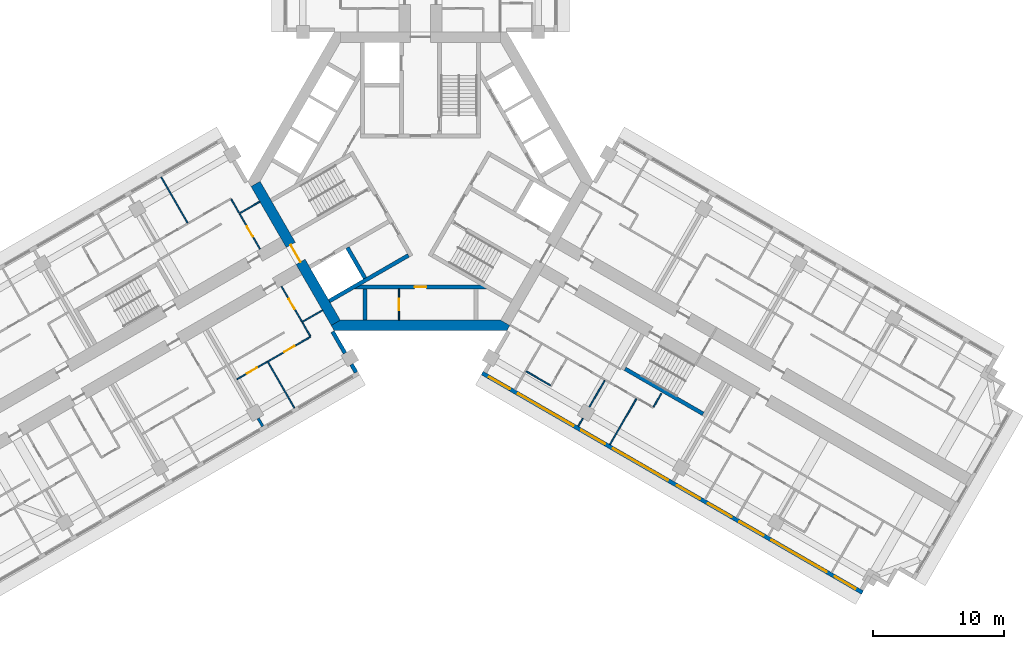
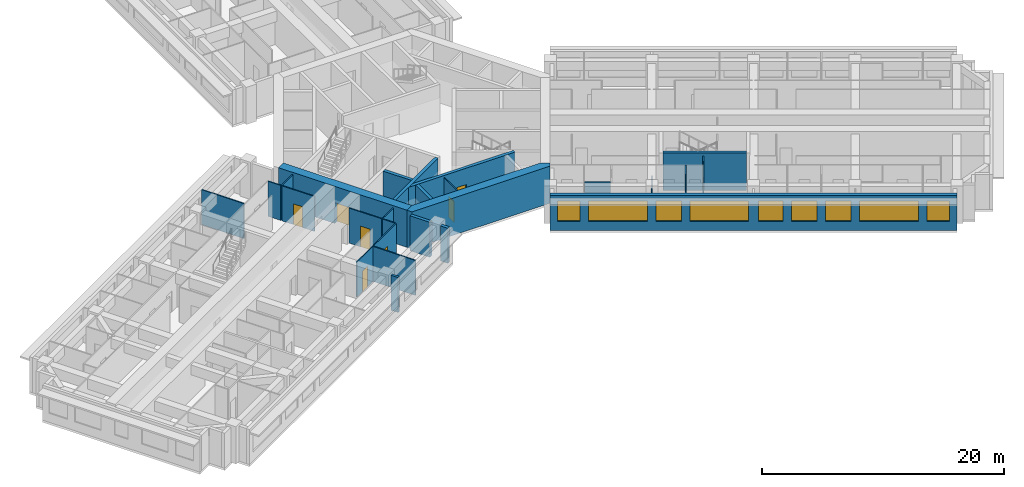
# One storey, part 6 of 14: 26 walls, 9 windows, 7 doors, 16 openings.
"""IFC4 building model written with IfcOpenShell, lengths in metres."""

from ifc_helpers import new_model, si_unit, direction, frame, frame_2d, origin, place, context, subcontext, project, spatial, polyline, rectangle, outline, extrude, material, layer, layer_set, type_object, element, fill, save


model = new_model("IFC4")

# Units and contexts
model_context = context("Model", 3, precision=1e-05, world=origin(), true_north=direction((0.0, 1.0)))
body_context = subcontext(model_context, "Body", "Model", "MODEL_VIEW")
ifc_project = project(units=[si_unit("LENGTHUNIT", "METRE"), si_unit("AREAUNIT", "SQUARE_METRE"), si_unit("VOLUMEUNIT", "CUBIC_METRE"), si_unit("PLANEANGLEUNIT", "RADIAN"), si_unit("MASSUNIT", "GRAM", prefix="KILO")], contexts=[model_context])

# Site, building, storey
site_placement = place(None, origin())
site = spatial("IfcSite", under=ifc_project, at=site_placement, CompositionType="ELEMENT")
building_placement = place(site_placement, origin())
building = spatial("IfcBuilding", under=site, at=building_placement, Name="Impinga Residences", CompositionType="ELEMENT")
storey_placement = place(building_placement, frame((0.0, 0.0, 128.5)))
storey = spatial("IfcBuildingStorey", under=building, at=storey_placement, Name="L31", CompositionType="ELEMENT", Elevation=128.5)

# Wall, opening, door
ifc_material_1 = material(Name="Concrete blockwork", Category="masonry")
ifc_layer_1 = layer(ifc_material_1, 0.10009765625)
ifc_layer_set_1 = layer_set([ifc_layer_1], Name="CP1 core room partition, blockwork 100")
wall_type_1 = type_object("IfcWallType", Name="CP1 core room partition, blockwork 100", PredefinedType="PARTITIONING", material=ifc_layer_set_1)
wall_1_placement = place(storey_placement, frame((-1.64990234375, -8.2314453125, 0.0), z_axis=(0.0, 0.0, 1.0), x_axis=(0.0, -1.0, 0.0)))
wall_1 = element("IfcWall", 1, at=wall_1_placement, inside=storey, type_object=wall_type_1, Name="Core room partition, blockwork L31:CORE:low:ZP1", PredefinedType="PARTITIONING", context=body_context, shape_type="SweptSolid", body=[
    extrude(rectangle(XDim=2.400146484375, YDim=0.10009765625, at=frame_2d((1.2001953125, 0.0))), origin(), (0.0, 0.0, 1.0), 3.530029296875),
])
opening_1_placement = place(wall_1_placement, frame((0.75, 0.0, 0.0)))
opening_1 = element("IfcOpeningElement", 2, at=opening_1_placement, cuts=wall_1, Name="Opening D6", PredefinedType="OPENING", context=body_context, shape_type="SweptSolid", body=[
    extrude(rectangle(XDim=0.89990234375, YDim=2.10009765625, at=frame_2d((0.449951171875, 1.050048828125))), frame((0.0, 0.06005859375, 0.0), z_axis=(0.0, -1.0, 0.0), x_axis=(1.0, 0.0, 0.0)), (0.0, 0.0, 1.0), 0.1201171875),
])
ifc_material_2 = material(Name="Timber door set", Category="wood")
door_type_1 = type_object("IfcDoorType", Name="D6 riser and store door 900x2100", OperationType="SINGLE_SWING_LEFT", PredefinedType="DOOR", material=ifc_material_2)
door_1_placement = place(opening_1_placement, origin())
door_1 = element("IfcDoor", 3, at=door_1_placement, inside=storey, type_object=door_type_1, Name="Linen store door", OperationType="SINGLE_SWING_LEFT", OverallHeight=2.10009765625, OverallWidth=0.89990234375, PredefinedType="DOOR", context=body_context, shape_type="SweptSolid", body=[
    extrude(rectangle(XDim=0.89990234375, YDim=2.10009765625, at=frame_2d((0.449951171875, 1.050048828125))), frame((0.0, 0.02490234375, 0.0), z_axis=(0.0, -1.0, 0.0), x_axis=(1.0, 0.0, 0.0)), (0.0, 0.0, 1.0), 0.050048828125),
])
fill(opening_1, door_1)

# Wall, openings, windows
ifc_material_3 = material(Name="Terracotta rainscreen on blockwork", Category="masonry")
ifc_layer_2 = layer(ifc_material_3, 0.300048828125)
ifc_layer_set_2 = layer_set([ifc_layer_2], Name="EW1 external wall, terracotta rainscreen on blockwork 300")
wall_type_2 = type_object("IfcWallType", Name="EW1 external wall, terracotta rainscreen on blockwork 300", PredefinedType="SOLIDWALL", material=ifc_layer_set_2)
wall_2_placement = place(storey_placement, frame((33.823486328125, -31.479248046875, 0.0), z_axis=(0.0, 0.0, 1.0), x_axis=(-0.866024291668, 0.500001926238, 0.0)))
wall_2 = element("IfcWall", 4, at=wall_2_placement, inside=storey, type_object=wall_type_2, Name="External wall EW1 L31", PredefinedType="SOLIDWALL", context=body_context, shape_type="SweptSolid", body=[
    extrude(rectangle(XDim=33.599853515625, YDim=0.300048828125, at=frame_2d((16.7998046875, 0.0))), origin(), (0.0, 0.0, 1.0), 3.530029296875),
])
opening_2_placement = place(wall_2_placement, frame((0.60009765625, 0.0, 0.89990234375)))
opening_2 = element("IfcOpeningElement", 5, at=opening_2_placement, cuts=wall_2, Name="Opening W15", PredefinedType="OPENING", context=body_context, shape_type="SweptSolid", body=[
    extrude(rectangle(XDim=1.85009765625, YDim=2.050048828125, at=frame_2d((0.925048828125, 1.02490234375))), frame((0.0, 0.159912109375, 0.0), z_axis=(0.0, -1.0, 0.0), x_axis=(1.0, 0.0, 0.0)), (0.0, 0.0, 1.0), 0.320068359375),
])
opening_3_placement = place(wall_2_placement, frame((3.14990234375, 0.0, 0.89990234375)))
opening_3 = element("IfcOpeningElement", 6, at=opening_3_placement, cuts=wall_2, Name="Opening W16", PredefinedType="OPENING", context=body_context, shape_type="SweptSolid", body=[
    extrude(rectangle(XDim=4.89990234375, YDim=2.050048828125, at=frame_2d((2.449951171875, 1.02490234375))), frame((0.0, 0.159912109375, 0.0), z_axis=(0.0, -1.0, 0.0), x_axis=(1.0, 0.0, 0.0)), (0.0, 0.0, 1.0), 0.320068359375),
])
opening_4_placement = place(wall_2_placement, frame((8.75, 0.0, 0.89990234375)))
opening_4 = element("IfcOpeningElement", 7, at=opening_4_placement, cuts=wall_2, Name="Opening W9", PredefinedType="OPENING", context=body_context, shape_type="SweptSolid", body=[
    extrude(rectangle(XDim=2.10009765625, YDim=2.050048828125, at=frame_2d((1.050048828125, 1.02490234375))), frame((0.0, 0.159912109375, 0.0), z_axis=(0.0, -1.0, 0.0), x_axis=(1.0, 0.0, 0.0)), (0.0, 0.0, 1.0), 0.320068359375),
])
opening_5_placement = place(wall_2_placement, frame((11.550048828125, 0.0, 0.89990234375)))
opening_5 = element("IfcOpeningElement", 8, at=opening_5_placement, cuts=wall_2, Name="Opening W9", PredefinedType="OPENING", context=body_context, shape_type="SweptSolid", body=[
    extrude(rectangle(XDim=2.10009765625, YDim=2.050048828125, at=frame_2d((1.050048828125, 1.02490234375))), frame((0.0, 0.159912109375, 0.0), z_axis=(0.0, -1.0, 0.0), x_axis=(1.0, 0.0, 0.0)), (0.0, 0.0, 1.0), 0.320068359375),
])
opening_6_placement = place(wall_2_placement, frame((14.35009765625, 0.0, 0.89990234375)))
opening_6 = element("IfcOpeningElement", 9, at=opening_6_placement, cuts=wall_2, Name="Opening W14", PredefinedType="OPENING", context=body_context, shape_type="SweptSolid", body=[
    extrude(rectangle(XDim=2.050048828125, YDim=2.050048828125, at=frame_2d((1.02490234375, 1.02490234375))), frame((0.0, 0.159912109375, 0.0), z_axis=(0.0, -1.0, 0.0), x_axis=(1.0, 0.0, 0.0)), (0.0, 0.0, 1.0), 0.320068359375),
])
opening_7_placement = place(wall_2_placement, frame((17.199951171875, 0.0, 0.89990234375)))
opening_7 = element("IfcOpeningElement", 10, at=opening_7_placement, cuts=wall_2, Name="Opening W6", PredefinedType="OPENING", context=body_context, shape_type="SweptSolid", body=[
    extrude(rectangle(XDim=4.85009765625, YDim=2.050048828125, at=frame_2d((2.425048828125, 1.02490234375))), frame((0.0, 0.159912109375, 0.0), z_axis=(0.0, -1.0, 0.0), x_axis=(1.0, 0.0, 0.0)), (0.0, 0.0, 1.0), 0.320068359375),
])
opening_8_placement = place(wall_2_placement, frame((22.75, 0.0, 0.89990234375)))
opening_8 = element("IfcOpeningElement", 11, at=opening_8_placement, cuts=wall_2, Name="Opening W9", PredefinedType="OPENING", context=body_context, shape_type="SweptSolid", body=[
    extrude(rectangle(XDim=2.10009765625, YDim=2.050048828125, at=frame_2d((1.050048828125, 1.02490234375))), frame((0.0, 0.159912109375, 0.0), z_axis=(0.0, -1.0, 0.0), x_axis=(1.0, 0.0, 0.0)), (0.0, 0.0, 1.0), 0.320068359375),
])
opening_9_placement = place(wall_2_placement, frame((25.550048828125, 0.0, 0.89990234375)))
opening_9 = element("IfcOpeningElement", 12, at=opening_9_placement, cuts=wall_2, Name="Opening W16", PredefinedType="OPENING", context=body_context, shape_type="SweptSolid", body=[
    extrude(rectangle(XDim=4.89990234375, YDim=2.050048828125, at=frame_2d((2.449951171875, 1.02490234375))), frame((0.0, 0.159912109375, 0.0), z_axis=(0.0, -1.0, 0.0), x_axis=(1.0, 0.0, 0.0)), (0.0, 0.0, 1.0), 0.320068359375),
])
opening_10_placement = place(wall_2_placement, frame((31.14990234375, 0.0, 0.89990234375)))
opening_10 = element("IfcOpeningElement", 13, at=opening_10_placement, cuts=wall_2, Name="Opening W15", PredefinedType="OPENING", context=body_context, shape_type="SweptSolid", body=[
    extrude(rectangle(XDim=1.85009765625, YDim=2.050048828125, at=frame_2d((0.925048828125, 1.02490234375))), frame((0.0, 0.159912109375, 0.0), z_axis=(0.0, -1.0, 0.0), x_axis=(1.0, 0.0, 0.0)), (0.0, 0.0, 1.0), 0.320068359375),
])
ifc_material_4 = material(Name="Aluminium window, clear double glazing", Category="aluminium")
window_type_1 = type_object("IfcWindowType", Name="W14 ribbon window 2050x2050", PartitioningType="SINGLE_PANEL", PredefinedType="WINDOW", material=ifc_material_4)
window_1_placement = place(opening_6_placement, origin())
window_1 = element("IfcWindow", 14, at=window_1_placement, inside=storey, type_object=window_type_1, Name="Window L31", OverallHeight=2.050048828125, OverallWidth=2.050048828125, PartitioningType="SINGLE_PANEL", PredefinedType="WINDOW", context=body_context, shape_type="SweptSolid", body=[
    extrude(rectangle(XDim=2.050048828125, YDim=2.050048828125, at=frame_2d((1.02490234375, 1.02490234375))), frame((0.0, 0.030029296875, 0.0), z_axis=(0.0, -1.0, 0.0), x_axis=(1.0, 0.0, 0.0)), (0.0, 0.0, 1.0), 0.06005859375),
])
fill(opening_6, window_1)
window_type_2 = type_object("IfcWindowType", Name="W15 ribbon window 1850x2050", PartitioningType="SINGLE_PANEL", PredefinedType="WINDOW", material=ifc_material_4)
window_2_placement = place(opening_2_placement, origin())
window_2 = element("IfcWindow", 15, at=window_2_placement, inside=storey, type_object=window_type_2, Name="Window L31", OverallHeight=2.050048828125, OverallWidth=1.85009765625, PartitioningType="SINGLE_PANEL", PredefinedType="WINDOW", context=body_context, shape_type="SweptSolid", body=[
    extrude(rectangle(XDim=1.85009765625, YDim=2.050048828125, at=frame_2d((0.925048828125, 1.02490234375))), frame((0.0, 0.030029296875, 0.0), z_axis=(0.0, -1.0, 0.0), x_axis=(1.0, 0.0, 0.0)), (0.0, 0.0, 1.0), 0.06005859375),
])
fill(opening_2, window_2)
window_3_placement = place(opening_10_placement, origin())
window_3 = element("IfcWindow", 16, at=window_3_placement, inside=storey, type_object=window_type_2, Name="Window L31", OverallHeight=2.050048828125, OverallWidth=1.85009765625, PartitioningType="SINGLE_PANEL", PredefinedType="WINDOW", context=body_context, shape_type="SweptSolid", body=[
    extrude(rectangle(XDim=1.85009765625, YDim=2.050048828125, at=frame_2d((0.925048828125, 1.02490234375))), frame((0.0, 0.030029296875, 0.0), z_axis=(0.0, -1.0, 0.0), x_axis=(1.0, 0.0, 0.0)), (0.0, 0.0, 1.0), 0.06005859375),
])
fill(opening_10, window_3)
window_type_3 = type_object("IfcWindowType", Name="W16 ribbon window 4900x2050", PartitioningType="SINGLE_PANEL", PredefinedType="WINDOW", material=ifc_material_4)
window_4_placement = place(opening_3_placement, origin())
window_4 = element("IfcWindow", 17, at=window_4_placement, inside=storey, type_object=window_type_3, Name="Window L31", OverallHeight=2.050048828125, OverallWidth=4.89990234375, PartitioningType="SINGLE_PANEL", PredefinedType="WINDOW", context=body_context, shape_type="SweptSolid", body=[
    extrude(rectangle(XDim=4.89990234375, YDim=2.050048828125, at=frame_2d((2.449951171875, 1.02490234375))), frame((0.0, 0.030029296875, 0.0), z_axis=(0.0, -1.0, 0.0), x_axis=(1.0, 0.0, 0.0)), (0.0, 0.0, 1.0), 0.06005859375),
])
fill(opening_3, window_4)
window_5_placement = place(opening_9_placement, origin())
window_5 = element("IfcWindow", 18, at=window_5_placement, inside=storey, type_object=window_type_3, Name="Window L31", OverallHeight=2.050048828125, OverallWidth=4.89990234375, PartitioningType="SINGLE_PANEL", PredefinedType="WINDOW", context=body_context, shape_type="SweptSolid", body=[
    extrude(rectangle(XDim=4.89990234375, YDim=2.050048828125, at=frame_2d((2.449951171875, 1.02490234375))), frame((0.0, 0.030029296875, 0.0), z_axis=(0.0, -1.0, 0.0), x_axis=(1.0, 0.0, 0.0)), (0.0, 0.0, 1.0), 0.06005859375),
])
fill(opening_9, window_5)
window_type_4 = type_object("IfcWindowType", Name="W6 ribbon window 4850x2050", PartitioningType="SINGLE_PANEL", PredefinedType="WINDOW", material=ifc_material_4)
window_6_placement = place(opening_7_placement, origin())
window_6 = element("IfcWindow", 19, at=window_6_placement, inside=storey, type_object=window_type_4, Name="Window L31", OverallHeight=2.050048828125, OverallWidth=4.85009765625, PartitioningType="SINGLE_PANEL", PredefinedType="WINDOW", context=body_context, shape_type="SweptSolid", body=[
    extrude(rectangle(XDim=4.85009765625, YDim=2.050048828125, at=frame_2d((2.425048828125, 1.02490234375))), frame((0.0, 0.030029296875, 0.0), z_axis=(0.0, -1.0, 0.0), x_axis=(1.0, 0.0, 0.0)), (0.0, 0.0, 1.0), 0.06005859375),
])
fill(opening_7, window_6)
window_type_5 = type_object("IfcWindowType", Name="W9 ribbon window 2100x2050", PartitioningType="SINGLE_PANEL", PredefinedType="WINDOW", material=ifc_material_4)
window_7_placement = place(opening_4_placement, origin())
window_7 = element("IfcWindow", 20, at=window_7_placement, inside=storey, type_object=window_type_5, Name="Window L31", OverallHeight=2.050048828125, OverallWidth=2.10009765625, PartitioningType="SINGLE_PANEL", PredefinedType="WINDOW", context=body_context, shape_type="SweptSolid", body=[
    extrude(rectangle(XDim=2.10009765625, YDim=2.050048828125, at=frame_2d((1.050048828125, 1.02490234375))), frame((0.0, 0.030029296875, 0.0), z_axis=(0.0, -1.0, 0.0), x_axis=(1.0, 0.0, 0.0)), (0.0, 0.0, 1.0), 0.06005859375),
])
fill(opening_4, window_7)
window_8_placement = place(opening_5_placement, origin())
window_8 = element("IfcWindow", 21, at=window_8_placement, inside=storey, type_object=window_type_5, Name="Window L31", OverallHeight=2.050048828125, OverallWidth=2.10009765625, PartitioningType="SINGLE_PANEL", PredefinedType="WINDOW", context=body_context, shape_type="SweptSolid", body=[
    extrude(rectangle(XDim=2.10009765625, YDim=2.050048828125, at=frame_2d((1.050048828125, 1.02490234375))), frame((0.0, 0.030029296875, 0.0), z_axis=(0.0, -1.0, 0.0), x_axis=(1.0, 0.0, 0.0)), (0.0, 0.0, 1.0), 0.06005859375),
])
fill(opening_5, window_8)
window_9_placement = place(opening_8_placement, origin())
window_9 = element("IfcWindow", 22, at=window_9_placement, inside=storey, type_object=window_type_5, Name="Window L31", OverallHeight=2.050048828125, OverallWidth=2.10009765625, PartitioningType="SINGLE_PANEL", PredefinedType="WINDOW", context=body_context, shape_type="SweptSolid", body=[
    extrude(rectangle(XDim=2.10009765625, YDim=2.050048828125, at=frame_2d((1.050048828125, 1.02490234375))), frame((0.0, 0.030029296875, 0.0), z_axis=(0.0, -1.0, 0.0), x_axis=(1.0, 0.0, 0.0)), (0.0, 0.0, 1.0), 0.06005859375),
])
fill(opening_8, window_9)

# Walls
wall_3_placement = place(storey_placement, frame((-6.72998046875, -11.506591796875, 0.0), z_axis=(0.0, 0.0, 1.0), x_axis=(0.500063520245, -0.865988727248, 0.0)))
element("IfcWall", 23, at=wall_3_placement, inside=storey, type_object=wall_type_2, Name="External wall EW1 L31", PredefinedType="SOLIDWALL", context=body_context, shape_type="SweptSolid", body=[
    extrude(rectangle(XDim=1.900146484375, YDim=0.300048828125, at=frame_2d((0.9501953125, 0.0))), origin(), (0.0, 0.0, 1.0), 3.530029296875),
])
wall_4_placement = place(storey_placement, frame((-5.27978515625, -14.01806640625, 0.0), z_axis=(0.0, 0.0, 1.0), x_axis=(0.499853302173, -0.866110083249, 0.0)))
element("IfcWall", 24, at=wall_4_placement, inside=storey, type_object=wall_type_2, Name="External wall EW1 L31", PredefinedType="SOLIDWALL", context=body_context, shape_type="SweptSolid", body=[
    extrude(rectangle(XDim=0.699951171875, YDim=0.300048828125, at=frame_2d((0.35009765625, 0.0))), origin(), (0.0, 0.0, 1.0), 3.530029296875),
])
ifc_material_5 = material(Name="Gypsum board on steel studs", Category="steel")
ifc_layer_3 = layer(ifc_material_5, 0.10009765625)
ifc_layer_set_3 = layer_set([ifc_layer_3], Name="Gypsum board on steel studs")
wall_type_3 = type_object("IfcWallType", Name="IP1 partition 100", PredefinedType="PARTITIONING", material=ifc_layer_set_3)
wall_5_placement = place(storey_placement, frame((-7.5, -9.872802734375, 0.0), z_axis=(0.0, 0.0, 1.0), x_axis=(-0.866047807691, -0.499961193289, 0.0)))
element("IfcWall", 25, at=wall_5_placement, inside=storey, type_object=wall_type_3, Name="Partition L31-WA1:DIV0", PredefinedType="PARTITIONING", context=body_context, shape_type="SweptSolid", body=[
    extrude(rectangle(XDim=1.800048828125, YDim=0.10009765625, at=frame_2d((0.89990234375, 0.0))), origin(), (0.0, 0.0, 1.0), 3.530029296875),
])

# Wall, openings, doors
wall_6_placement = place(storey_placement, frame((-8.408935546875, -11.8984375, 0.0), z_axis=(0.0, 0.0, 1.0), x_axis=(-0.866024837091, -0.50000098154, 0.0)))
wall_6 = element("IfcWall", 26, at=wall_6_placement, inside=storey, type_object=wall_type_3, Name="Partition L31-WA1:STRIP", PredefinedType="PARTITIONING", context=body_context, shape_type="SweptSolid", body=[
    extrude(rectangle(XDim=6.5, YDim=0.10009765625, at=frame_2d((3.25, 0.0))), origin(), (0.0, 0.0, 1.0), 3.530029296875),
])
opening_11_placement = place(wall_6_placement, frame((1.425048828125, 0.0, 0.0)))
opening_11 = element("IfcOpeningElement", 27, at=opening_11_placement, cuts=wall_6, Name="Opening D2", PredefinedType="OPENING", context=body_context, shape_type="SweptSolid", body=[
    extrude(rectangle(XDim=0.89990234375, YDim=2.10009765625, at=frame_2d((0.449951171875, 1.050048828125))), frame((0.0, 0.06005859375, 0.0), z_axis=(0.0, -1.0, 0.0), x_axis=(1.0, 0.0, 0.0)), (0.0, 0.0, 1.0), 0.1201171875),
])
opening_12_placement = place(wall_6_placement, frame((4.72509765625, 0.0, 0.0)))
opening_12 = element("IfcOpeningElement", 28, at=opening_12_placement, cuts=wall_6, Name="Opening D2", PredefinedType="OPENING", context=body_context, shape_type="SweptSolid", body=[
    extrude(rectangle(XDim=0.89990234375, YDim=2.10009765625, at=frame_2d((0.449951171875, 1.050048828125))), frame((0.0, 0.06005859375, 0.0), z_axis=(0.0, -1.0, 0.0), x_axis=(1.0, 0.0, 0.0)), (0.0, 0.0, 1.0), 0.1201171875),
])
door_type_2 = type_object("IfcDoorType", Name="D2 internal door 900x2100", OperationType="SINGLE_SWING_LEFT", PredefinedType="DOOR", material=ifc_material_2)
door_2_placement = place(opening_11_placement, origin())
door_2 = element("IfcDoor", 29, at=door_2_placement, inside=storey, type_object=door_type_2, Name="Apartment L31-WA1 room door", OperationType="SINGLE_SWING_LEFT", OverallHeight=2.10009765625, OverallWidth=0.89990234375, PredefinedType="DOOR", context=body_context, shape_type="SweptSolid", body=[
    extrude(rectangle(XDim=0.89990234375, YDim=2.10009765625, at=frame_2d((0.449951171875, 1.050048828125))), frame((0.0, 0.02490234375, 0.0), z_axis=(0.0, -1.0, 0.0), x_axis=(1.0, 0.0, 0.0)), (0.0, 0.0, 1.0), 0.050048828125),
])
fill(opening_11, door_2)
door_3_placement = place(opening_12_placement, origin())
door_3 = element("IfcDoor", 30, at=door_3_placement, inside=storey, type_object=door_type_2, Name="Apartment L31-WA1 room door", OperationType="SINGLE_SWING_RIGHT", OverallHeight=2.10009765625, OverallWidth=0.89990234375, PredefinedType="DOOR", context=body_context, shape_type="SweptSolid", body=[
    extrude(rectangle(XDim=0.89990234375, YDim=2.10009765625, at=frame_2d((0.449951171875, 1.050048828125))), frame((0.0, 0.02490234375, 0.0), z_axis=(0.0, -1.0, 0.0), x_axis=(1.0, 0.0, 0.0)), (0.0, 0.0, 1.0), 0.050048828125),
])
fill(opening_12, door_3)

# Wall
wall_7_placement = place(storey_placement, frame((-9.033935546875, -10.81591796875, 0.0), z_axis=(0.0, 0.0, 1.0), x_axis=(0.500033551112, -0.866006032174, 0.0)))
element("IfcWall", 31, at=wall_7_placement, inside=storey, type_object=wall_type_3, Name="Partition L31-WA1:SE0", PredefinedType="PARTITIONING", context=body_context, shape_type="SweptSolid", body=[
    extrude(rectangle(XDim=1.2001953125, YDim=0.10009765625, at=frame_2d((0.60009765625, 0.0))), origin(), (0.0, 0.0, 1.0), 3.530029296875),
])

# Wall, opening, door
wall_8_placement = place(storey_placement, frame((-10.6337890625, -8.044677734375, 0.0), z_axis=(0.0, 0.0, 1.0), x_axis=(0.49999285859, -0.86602952684, 0.0)))
wall_8 = element("IfcWall", 32, at=wall_8_placement, inside=storey, type_object=wall_type_3, Name="Partition L31-WA1:IB1", PredefinedType="PARTITIONING", context=body_context, shape_type="SweptSolid", body=[
    extrude(rectangle(XDim=3.10009765625, YDim=0.10009765625, at=frame_2d((1.550048828125, 0.0))), origin(), (0.0, 0.0, 1.0), 3.530029296875),
])
opening_13_placement = place(wall_8_placement, frame((1.10009765625, 0.0, 0.0)))
opening_13 = element("IfcOpeningElement", 33, at=opening_13_placement, cuts=wall_8, Name="Opening D2", PredefinedType="OPENING", context=body_context, shape_type="SweptSolid", body=[
    extrude(rectangle(XDim=0.89990234375, YDim=2.10009765625, at=frame_2d((0.449951171875, 1.050048828125))), frame((0.0, 0.06005859375, 0.0), z_axis=(0.0, -1.0, 0.0), x_axis=(1.0, 0.0, 0.0)), (0.0, 0.0, 1.0), 0.1201171875),
])
door_4_placement = place(opening_13_placement, origin())
door_4 = element("IfcDoor", 34, at=door_4_placement, inside=storey, type_object=door_type_2, Name="Apartment L31-WA1 bathroom door", OperationType="SINGLE_SWING_LEFT", OverallHeight=2.10009765625, OverallWidth=0.89990234375, PredefinedType="DOOR", context=body_context, shape_type="SweptSolid", body=[
    extrude(rectangle(XDim=0.89990234375, YDim=2.10009765625, at=frame_2d((0.449951171875, 1.050048828125))), frame((0.0, 0.02490234375, 0.0), z_axis=(0.0, -1.0, 0.0), x_axis=(1.0, 0.0, 0.0)), (0.0, 0.0, 1.0), 0.050048828125),
])
fill(opening_13, door_4)

# Walls
wall_9_placement = place(storey_placement, frame((-11.6748046875, -13.841796875, 0.0), z_axis=(0.0, 0.0, 1.0), x_axis=(0.500035537042, -0.866004885491, 0.0)))
element("IfcWall", 35, at=wall_9_placement, inside=storey, type_object=wall_type_3, Name="Partition L31-WA1:OB1", PredefinedType="PARTITIONING", context=body_context, shape_type="SweptSolid", body=[
    extrude(rectangle(XDim=4.050048828125, YDim=0.10009765625, at=frame_2d((2.02490234375, 0.0))), origin(), (0.0, 0.0, 1.0), 3.530029296875),
])
wall_10_placement = place(storey_placement, frame((-12.300048828125, -1.558837890625, 0.0), z_axis=(0.0, 0.0, 1.0), x_axis=(-0.866047807691, -0.499961193289, 0.0)))
element("IfcWall", 36, at=wall_10_placement, inside=storey, type_object=wall_type_3, Name="Partition L31-WF1:DIV0", PredefinedType="PARTITIONING", context=body_context, shape_type="SweptSolid", body=[
    extrude(rectangle(XDim=1.800048828125, YDim=0.10009765625, at=frame_2d((0.89990234375, 0.0))), origin(), (0.0, 0.0, 1.0), 3.530029296875),
])
wall_11_placement = place(storey_placement, frame((-13.8837890625, -2.41552734375, 0.0), z_axis=(0.0, 0.0, 1.0), x_axis=(-0.500033551112, 0.866006032174, 0.0)))
element("IfcWall", 37, at=wall_11_placement, inside=storey, type_object=wall_type_3, Name="Partition L31-WF1:SE0", PredefinedType="PARTITIONING", context=body_context, shape_type="SweptSolid", body=[
    extrude(rectangle(XDim=1.2001953125, YDim=0.10009765625, at=frame_2d((0.60009765625, 0.0))), origin(), (0.0, 0.0, 1.0), 3.530029296875),
])

# Wall, opening, door
wall_12_placement = place(storey_placement, frame((-12.283935546875, -5.186767578125, 0.0), z_axis=(0.0, 0.0, 1.0), x_axis=(-0.499967891604, 0.866043940782, 0.0)))
wall_12 = element("IfcWall", 38, at=wall_12_placement, inside=storey, type_object=wall_type_3, Name="Partition L31-WF1:IB1", PredefinedType="PARTITIONING", context=body_context, shape_type="SweptSolid", body=[
    extrude(rectangle(XDim=3.099853515625, YDim=0.10009765625, at=frame_2d((1.5498046875, 0.0))), origin(), (0.0, 0.0, 1.0), 3.530029296875),
])
opening_14_placement = place(wall_12_placement, frame((1.10009765625, 0.0, 0.0)))
opening_14 = element("IfcOpeningElement", 39, at=opening_14_placement, cuts=wall_12, Name="Opening D2", PredefinedType="OPENING", context=body_context, shape_type="SweptSolid", body=[
    extrude(rectangle(XDim=0.89990234375, YDim=2.10009765625, at=frame_2d((0.449951171875, 1.050048828125))), frame((0.0, 0.06005859375, 0.0), z_axis=(0.0, -1.0, 0.0), x_axis=(1.0, 0.0, 0.0)), (0.0, 0.0, 1.0), 0.1201171875),
])
door_5_placement = place(opening_14_placement, origin())
door_5 = element("IfcDoor", 40, at=door_5_placement, inside=storey, type_object=door_type_2, Name="Apartment L31-WF1 bathroom door", OperationType="SINGLE_SWING_LEFT", OverallHeight=2.10009765625, OverallWidth=0.89990234375, PredefinedType="DOOR", context=body_context, shape_type="SweptSolid", body=[
    extrude(rectangle(XDim=0.89990234375, YDim=2.10009765625, at=frame_2d((0.449951171875, 1.050048828125))), frame((0.0, 0.02490234375, 0.0), z_axis=(0.0, -1.0, 0.0), x_axis=(1.0, 0.0, 0.0)), (0.0, 0.0, 1.0), 0.050048828125),
])
fill(opening_14, door_5)

# Walls
wall_13_placement = place(storey_placement, frame((-17.82470703125, -3.189697265625, 0.0), z_axis=(0.0, 0.0, 1.0), x_axis=(-0.500035537042, 0.866004885491, 0.0)))
element("IfcWall", 41, at=wall_13_placement, inside=storey, type_object=wall_type_3, Name="Partition L31-WF1:OB1", PredefinedType="PARTITIONING", context=body_context, shape_type="SweptSolid", body=[
    extrude(rectangle(XDim=4.050048828125, YDim=0.10009765625, at=frame_2d((2.02490234375, 0.0))), origin(), (0.0, 0.0, 1.0), 3.530029296875),
])
wall_14_placement = place(storey_placement, frame((18.43017578125, -16.240966796875, 0.0), z_axis=(0.0, 0.0, 1.0), x_axis=(-0.499880961361, -0.866094119867, 0.0)))
element("IfcWall", 42, at=wall_14_placement, inside=storey, type_object=wall_type_3, Name="Partition L31-EF1:SE1", PredefinedType="PARTITIONING", context=body_context, shape_type="SweptSolid", body=[
    extrude(rectangle(XDim=1.199951171875, YDim=0.10009765625, at=frame_2d((0.60009765625, 0.0))), origin(), (0.0, 0.0, 1.0), 3.530029296875),
])
wall_15_placement = place(storey_placement, frame((14.099609375, -15.241943359375, 0.0), z_axis=(0.0, 0.0, 1.0), x_axis=(-0.500016218704, -0.866016039709, 0.0)))
element("IfcWall", 43, at=wall_15_placement, inside=storey, type_object=wall_type_3, Name="Partition L31-EF1:OB2", PredefinedType="PARTITIONING", context=body_context, shape_type="SweptSolid", body=[
    extrude(rectangle(XDim=2.35009765625, YDim=0.10009765625, at=frame_2d((1.175048828125, 0.0))), origin(), (0.0, 0.0, 1.0), 2.47998046875),
])
wall_16_placement = place(storey_placement, frame((12.424560546875, -18.14306640625, 0.0), z_axis=(0.0, 0.0, 1.0), x_axis=(-0.499853302173, -0.866110083249, 0.0)))
element("IfcWall", 44, at=wall_16_placement, inside=storey, type_object=wall_type_3, Name="Partition L31-EF1:OB2b", PredefinedType="PARTITIONING", context=body_context, shape_type="SweptSolid", body=[
    extrude(rectangle(XDim=0.699951171875, YDim=0.10009765625, at=frame_2d((0.35009765625, 0.0))), origin(), (0.0, 0.0, 1.0), 3.530029296875),
])
wall_17_placement = place(storey_placement, frame((16.5244140625, -16.641845703125, 0.0), z_axis=(0.0, 0.0, 1.0), x_axis=(-0.499990325971, -0.866030989016, 0.0)))
element("IfcWall", 45, at=wall_17_placement, inside=storey, type_object=wall_type_3, Name="Partition L31-EF1:OB3", PredefinedType="PARTITIONING", context=body_context, shape_type="SweptSolid", body=[
    extrude(rectangle(XDim=4.0498046875, YDim=0.10009765625, at=frame_2d((2.02490234375, 0.0))), origin(), (0.0, 0.0, 1.0), 3.530029296875),
])
wall_18_placement = place(storey_placement, frame((8.09326171875, -14.545166015625, 0.0), z_axis=(0.0, 0.0, 1.0), x_axis=(0.865969990567, -0.500095966228, 0.0)))
element("IfcWall", 46, at=wall_18_placement, inside=storey, type_object=wall_type_3, Name="Partition L31-EF1:EN2", PredefinedType="PARTITIONING", context=body_context, shape_type="SweptSolid", body=[
    extrude(rectangle(XDim=2.14990234375, YDim=0.10009765625, at=frame_2d((1.074951171875, 0.0))), origin(), (0.0, 0.0, 1.0), 3.530029296875),
])
ifc_layer_4 = layer(ifc_material_1, 0.199951171875)
ifc_layer_set_4 = layer_set([ifc_layer_4], Name="PW1 party wall between apartments 200")
wall_type_4 = type_object("IfcWallType", Name="PW1 party wall between apartments 200", PredefinedType="SOLIDWALL", material=ifc_layer_set_4)
wall_19_placement = place(storey_placement, frame((-12.424560546875, -18.14306640625, 0.0), z_axis=(0.0, 0.0, 1.0), x_axis=(0.499853302173, -0.866110083249, 0.0)))
element("IfcWall", 47, at=wall_19_placement, inside=storey, type_object=wall_type_4, Name="Party wall between apartments L31-WA1:PARTYb", PredefinedType="SOLIDWALL", context=body_context, shape_type="SweptSolid", body=[
    extrude(rectangle(XDim=0.699951171875, YDim=0.199951171875, at=frame_2d((0.35009765625, 0.0))), origin(), (0.0, 0.0, 1.0), 3.530029296875),
])
ifc_material_6 = material(Name="Concrete C60/75", Category="concrete")
ifc_layer_5 = layer(ifc_material_6, 0.300048828125)
ifc_layer_set_5 = layer_set([ifc_layer_5], Name="Concrete C60/75")
wall_type_5 = type_object("IfcWallType", Name="SE1 wing stair enclosure wall 300", PredefinedType="SOLIDWALL", material=ifc_layer_set_5)
wall_20_placement = place(storey_placement, frame((15.654052734375, -14.349365234375, 0.0), z_axis=(0.0, 0.0, 1.0), x_axis=(0.866013532718, -0.500020560727, 0.0)))
element("IfcWall", 48, at=wall_20_placement, inside=storey, type_object=wall_type_5, Name="Stair enclosure wall SE1 E OUT L31", PredefinedType="SOLIDWALL", context=body_context, shape_type="SweptSolid", body=[
    extrude(rectangle(XDim=6.900146484375, YDim=0.300048828125, at=frame_2d((3.4501953125, 0.0))), origin(), (0.0, 0.0, 1.0), 3.75),
])

# Wall, opening, door
ifc_layer_6 = layer(ifc_material_6, 0.800048828125)
ifc_layer_set_6 = layer_set([ifc_layer_6], Name="Concrete C60/75")
wall_type_6 = type_object("IfcWallType", Name="SW2 core wall 800", PredefinedType="SHEAR", material=ifc_layer_set_6)
wall_21_placement = place(storey_placement, frame((-6.484619140625, -10.83154296875, 0.0), z_axis=(0.0, 0.0, 1.0), x_axis=(-0.499986991068, 0.866032914365, 0.0)))
wall_21 = element("IfcWall", 49, at=wall_21_placement, inside=storey, type_object=wall_type_6, Name="Core wall SW2 W:FACE L31", PredefinedType="SHEAR", context=body_context, shape_type="SweptSolid", body=[
    extrude(rectangle(XDim=12.276123046875, YDim=0.800048828125, at=frame_2d((6.13818359375, 0.0))), origin(), (0.0, 0.0, 1.0), 3.75),
])
opening_15_placement = place(wall_21_placement, frame((5.38818359375, 0.0, 0.0)))
opening_15 = element("IfcOpeningElement", 50, at=opening_15_placement, cuts=wall_21, Name="Opening D4", PredefinedType="OPENING", context=body_context, shape_type="SweptSolid", body=[
    extrude(rectangle(XDim=1.5, YDim=2.10009765625, at=frame_2d((0.75, 1.050048828125))), frame((0.0, 0.409912109375, 0.0), z_axis=(0.0, -1.0, 0.0), x_axis=(1.0, 0.0, 0.0)), (0.0, 0.0, 1.0), 0.820068359375),
])
door_type_3 = type_object("IfcDoorType", Name="D4 lobby door pair 1500x2100", OperationType="DOUBLE_DOOR_DOUBLE_SWING", PredefinedType="DOOR", material=ifc_material_2)
door_6_placement = place(opening_15_placement, origin())
door_6 = element("IfcDoor", 51, at=door_6_placement, inside=storey, type_object=door_type_3, Name="Lobby door W", OperationType="DOUBLE_DOOR_DOUBLE_SWING", OverallHeight=2.10009765625, OverallWidth=1.5, PredefinedType="DOOR", context=body_context, shape_type="SweptSolid", body=[
    extrude(rectangle(XDim=1.5, YDim=2.10009765625, at=frame_2d((0.75, 1.050048828125))), frame((0.0, 0.02490234375, 0.0), z_axis=(0.0, -1.0, 0.0), x_axis=(1.0, 0.0, 0.0)), (0.0, 0.0, 1.0), 0.050048828125),
])
fill(opening_15, door_6)

# Walls
wall_22_placement = place(storey_placement, origin())
element("IfcWall", 52, at=wall_22_placement, inside=storey, type_object=wall_type_6, Name="Core wall SW2 N:EXPOSED L31", PredefinedType="SHEAR", context=body_context, shape_type="SweptSolid", body=[
    extrude(outline(polyline([(-6.60009765625, -11.431640625), (6.60009765625, -11.431640625), (6.8310546875, -11.031494140625), (6.13818359375, -10.631591796875), (-6.13818359375, -10.631591796875), (-6.8310546875, -11.031494140625), (-6.60009765625, -11.431640625)])), origin(), (0.0, 0.0, 1.0), 3.75),
])
ifc_material_7 = material(Name="Concrete C70/85", Category="concrete")
ifc_layer_7 = layer(ifc_material_7, 0.300048828125)
ifc_layer_set_7 = layer_set([ifc_layer_7], Name="Concrete C70/85")
wall_type_7 = type_object("IfcWallType", Name="SW5 core inner wall, stairs, shafts and lobbies 300", PredefinedType="SHEAR", material=ifc_layer_set_7)
wall_23_placement = place(storey_placement, frame((-0.918701171875, -5.668701171875, 0.0), z_axis=(0.0, 0.0, 1.0), x_axis=(-0.866011380966, -0.500024287448, 0.0)))
element("IfcWall", 53, at=wall_23_placement, inside=storey, type_object=wall_type_7, Name="Core wall SW5 W:FF-OUT L31", PredefinedType="SHEAR", context=body_context, shape_type="SweptSolid", body=[
    extrude(rectangle(XDim=7.001708984375, YDim=0.300048828125, at=frame_2d((3.5009765625, 0.0))), origin(), (0.0, 0.0, 1.0), 3.75),
])
wall_24_placement = place(storey_placement, frame((-4.2412109375, -7.413818359375, 0.0), z_axis=(0.0, 0.0, 1.0), x_axis=(-0.500048589285, 0.86599734893, 0.0)))
element("IfcWall", 54, at=wall_24_placement, inside=storey, type_object=wall_type_7, Name="Core wall SW5 W:FF-RS L31", PredefinedType="SHEAR", context=body_context, shape_type="SweptSolid", body=[
    extrude(rectangle(XDim=2.699951171875, YDim=0.300048828125, at=frame_2d((1.35009765625, 0.0))), origin(), (0.0, 0.0, 1.0), 3.75),
])

# Wall, opening, door
wall_25_placement = place(storey_placement, frame((5.09765625, -8.08154296875, 0.0), z_axis=(0.0, 0.0, 1.0), x_axis=(-1.0, 0.0, 0.0)))
wall_25 = element("IfcWall", 55, at=wall_25_placement, inside=storey, type_object=wall_type_7, Name="Core wall SW5 N:BANK-FRONT L31", PredefinedType="SHEAR", context=body_context, shape_type="SweptSolid", body=[
    extrude(rectangle(XDim=10.1953125, YDim=0.300048828125, at=frame_2d((5.09765625, 0.0))), origin(), (0.0, 0.0, 1.0), 3.75),
])
opening_16_placement = place(wall_25_placement, frame((4.647705078125, 0.0, 0.0)))
opening_16 = element("IfcOpeningElement", 56, at=opening_16_placement, cuts=wall_25, Name="Opening D6", PredefinedType="OPENING", context=body_context, shape_type="SweptSolid", body=[
    extrude(rectangle(XDim=0.89990234375, YDim=2.10009765625, at=frame_2d((0.449951171875, 1.050048828125))), frame((0.0, 0.159912109375, 0.0), z_axis=(0.0, -1.0, 0.0), x_axis=(1.0, 0.0, 0.0)), (0.0, 0.0, 1.0), 0.320068359375),
])
door_7_placement = place(opening_16_placement, origin())
door_7 = element("IfcDoor", 57, at=door_7_placement, inside=storey, type_object=door_type_1, Name="Housekeeping store door", OperationType="SINGLE_SWING_LEFT", OverallHeight=2.10009765625, OverallWidth=0.89990234375, PredefinedType="DOOR", context=body_context, shape_type="SweptSolid", body=[
    extrude(rectangle(XDim=0.89990234375, YDim=2.10009765625, at=frame_2d((0.449951171875, 1.050048828125))), frame((0.0, 0.02490234375, 0.0), z_axis=(0.0, -1.0, 0.0), x_axis=(1.0, 0.0, 0.0)), (0.0, 0.0, 1.0), 0.050048828125),
])
fill(opening_16, door_7)

# Wall
wall_26_placement = place(storey_placement, frame((-4.25, -8.2314453125, 0.0), z_axis=(0.0, 0.0, 1.0), x_axis=(0.0, -1.0, 0.0)))
element("IfcWall", 58, at=wall_26_placement, inside=storey, type_object=wall_type_7, Name="Core wall SW5 N:BANK-R L31", PredefinedType="SHEAR", context=body_context, shape_type="SweptSolid", body=[
    extrude(rectangle(XDim=2.400146484375, YDim=0.300048828125, at=frame_2d((1.2001953125, 0.0))), origin(), (0.0, 0.0, 1.0), 3.75),
])

save(model, "model.ifc")
